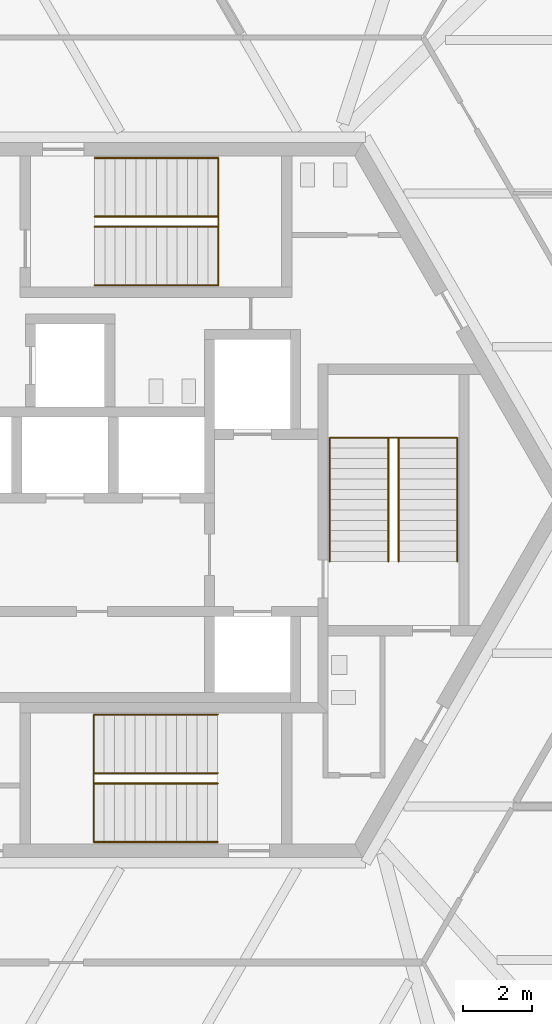
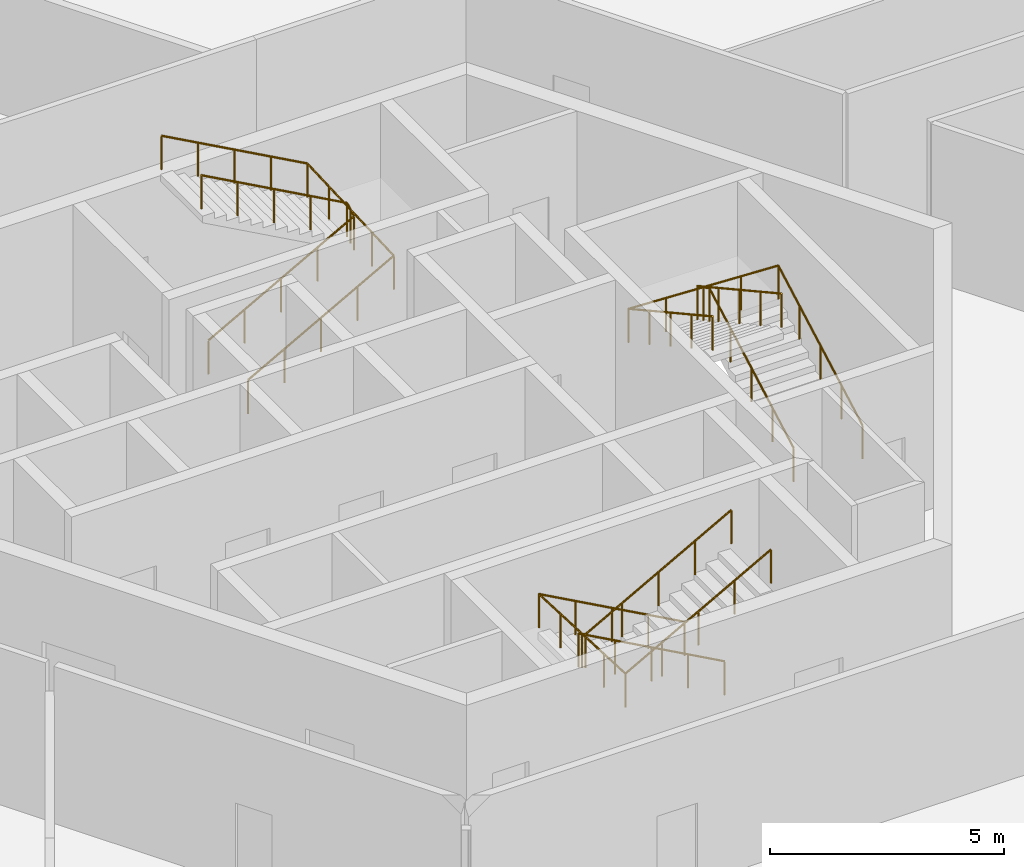
# One storey, part 16 of 17: 6 railings.
"""IFC4 building model written with IfcOpenShell, lengths in metres."""

from ifc_helpers import new_model, si_unit, direction, frame, origin, origin_2d, place, context, subcontext, project, spatial, circle, extrude, source, transform, mapped, material, type_object, element, save


model = new_model("IFC4")

# Units and contexts
model_context = context("Model", 3, precision=1e-05, world=origin(), true_north=direction((0.0, 1.0)))
body_context = subcontext(model_context, "Body", "Model", "MODEL_VIEW")
ifc_project = project(units=[si_unit("LENGTHUNIT", "METRE"), si_unit("AREAUNIT", "SQUARE_METRE"), si_unit("VOLUMEUNIT", "CUBIC_METRE"), si_unit("PLANEANGLEUNIT", "RADIAN"), si_unit("MASSUNIT", "GRAM", prefix="KILO")], contexts=[model_context])

# Site, building, storey
site_placement = place(None, origin())
site = spatial("IfcSite", under=ifc_project, at=site_placement, CompositionType="ELEMENT")
building_placement = place(site_placement, origin())
building = spatial("IfcBuilding", under=site, at=building_placement, Name="Triune Harvest Tower", CompositionType="ELEMENT")
storey_placement = place(building_placement, frame((0.0, 0.0, 46.10009765625)))
storey = spatial("IfcBuildingStorey", under=building, at=storey_placement, Name="L10", CompositionType="ELEMENT", Elevation=46.10009765625)

# Railings
ifc_material = material(Name="Stainless steel AISI 316", Category="steel")
railing_type = type_object("IfcRailingType", Name="Stair handrail", PredefinedType="HANDRAIL", material=ifc_material)
shared_shape_1 = source(origin(), body_context, "Body", "SweptSolid", [
    extrude(circle(Radius=0.02392578125, at=origin_2d()), frame((0.0, 0.0, 0.8759765625), z_axis=(0.875746539262, 0.0, 0.482771166259), x_axis=(0.0, 1.0, 0.0)), (0.0, 0.0, 1.0), 4.11083984375),
    extrude(circle(Radius=0.02392578125, at=origin_2d()), frame((3.60009765625, 0.0, 2.8603515625), z_axis=(0.0, 0.999003709343, 0.04462721948), x_axis=(-1.0, 0.0, 0.0)), (0.0, 0.0, 1.0), 3.70361328125),
    extrude(circle(Radius=0.02392578125, at=origin_2d()), frame((3.60009765625, 3.699951171875, 3.02587890625), z_axis=(-0.875746539262, 0.0, 0.482771166259), x_axis=(0.0, -1.0, 0.0)), (0.0, 0.0, 1.0), 4.11083984375),
    extrude(circle(Radius=0.02099609375, at=origin_2d()), origin(), (0.0, 0.0, 1.0), 0.851806640625),
    extrude(circle(Radius=0.02099609375, at=origin_2d()), frame((0.89990234375, 0.0, 0.49609375)), (0.0, 0.0, 1.0), 0.851806640625),
    extrude(circle(Radius=0.02099609375, at=origin_2d()), frame((1.800048828125, 0.0, 0.9921875)), (0.0, 0.0, 1.0), 0.851806640625),
    extrude(circle(Radius=0.02099609375, at=origin_2d()), frame((2.7001953125, 0.0, 1.488525390625)), (0.0, 0.0, 1.0), 0.851806640625),
    extrude(circle(Radius=0.02099609375, at=origin_2d()), frame((3.60009765625, 0.0, 1.984619140625)), (0.0, 0.0, 1.0), 0.851806640625),
    extrude(circle(Radius=0.02099609375, at=origin_2d()), frame((3.60009765625, 0.925048828125, 2.02587890625)), (0.0, 0.0, 1.0), 0.851806640625),
    extrude(circle(Radius=0.02099609375, at=origin_2d()), frame((3.60009765625, 1.85009765625, 2.0673828125)), (0.0, 0.0, 1.0), 0.851806640625),
    extrude(circle(Radius=0.02099609375, at=origin_2d()), frame((3.60009765625, 2.77490234375, 2.108642578125)), (0.0, 0.0, 1.0), 0.851806640625),
    extrude(circle(Radius=0.02099609375, at=origin_2d()), frame((3.60009765625, 3.699951171875, 2.14990234375)), (0.0, 0.0, 1.0), 0.851806640625),
    extrude(circle(Radius=0.02099609375, at=origin_2d()), frame((2.7001953125, 3.699951171875, 2.64599609375)), (0.0, 0.0, 1.0), 0.851806640625),
    extrude(circle(Radius=0.02099609375, at=origin_2d()), frame((1.800048828125, 3.699951171875, 3.14208984375)), (0.0, 0.0, 1.0), 0.851806640625),
    extrude(circle(Radius=0.02099609375, at=origin_2d()), frame((0.89990234375, 3.699951171875, 3.638427734375)), (0.0, 0.0, 1.0), 0.851806640625),
    extrude(circle(Radius=0.02099609375, at=origin_2d()), frame((0.0, 3.699951171875, 4.134521484375)), (0.0, 0.0, 1.0), 0.851806640625),
])
railing_1_placement = place(storey_placement, frame((-1.7900390625, 6.239990234375, 0.165283203125)))
element("IfcRailing", 1, at=railing_1_placement, inside=storey, type_object=railing_type, Name="Exit stair north wall handrail", PredefinedType="HANDRAIL", context=body_context, shape_type="MappedRepresentation", body=[
    mapped(shared_shape_1, transform((0.0, 0.0, 0.0), scale=1.0)),
])
shared_shape_2 = source(origin(), body_context, "Body", "SweptSolid", [
    extrude(circle(Radius=0.02392578125, at=origin_2d()), frame((0.0, 0.0, 0.8759765625), z_axis=(0.875746539262, 0.0, 0.482771166259), x_axis=(0.0, 1.0, 0.0)), (0.0, 0.0, 1.0), 4.11083984375),
    extrude(circle(Radius=0.02392578125, at=origin_2d()), frame((3.60009765625, 0.0, 2.8603515625), z_axis=(0.0, 0.875899727824, 0.48249317798), x_axis=(-1.0, 0.0, 0.0)), (0.0, 0.0, 1.0), 0.342529296875),
    extrude(circle(Radius=0.02392578125, at=origin_2d()), frame((3.60009765625, 0.300048828125, 3.02587890625), z_axis=(-0.875746539262, 0.0, 0.482771166259), x_axis=(0.0, -1.0, 0.0)), (0.0, 0.0, 1.0), 4.11083984375),
    extrude(circle(Radius=0.02099609375, at=origin_2d()), origin(), (0.0, 0.0, 1.0), 0.851806640625),
    extrude(circle(Radius=0.02099609375, at=origin_2d()), frame((0.89990234375, 0.0, 0.49609375)), (0.0, 0.0, 1.0), 0.851806640625),
    extrude(circle(Radius=0.02099609375, at=origin_2d()), frame((1.800048828125, 0.0, 0.9921875)), (0.0, 0.0, 1.0), 0.851806640625),
    extrude(circle(Radius=0.02099609375, at=origin_2d()), frame((2.7001953125, 0.0, 1.488525390625)), (0.0, 0.0, 1.0), 0.851806640625),
    extrude(circle(Radius=0.02099609375, at=origin_2d()), frame((3.60009765625, 0.0, 1.984619140625)), (0.0, 0.0, 1.0), 0.851806640625),
    extrude(circle(Radius=0.02099609375, at=origin_2d()), frame((3.60009765625, 0.300048828125, 2.14990234375)), (0.0, 0.0, 1.0), 0.851806640625),
    extrude(circle(Radius=0.02099609375, at=origin_2d()), frame((2.7001953125, 0.300048828125, 2.64599609375)), (0.0, 0.0, 1.0), 0.851806640625),
    extrude(circle(Radius=0.02099609375, at=origin_2d()), frame((1.800048828125, 0.300048828125, 3.14208984375)), (0.0, 0.0, 1.0), 0.851806640625),
    extrude(circle(Radius=0.02099609375, at=origin_2d()), frame((0.89990234375, 0.300048828125, 3.638427734375)), (0.0, 0.0, 1.0), 0.851806640625),
    extrude(circle(Radius=0.02099609375, at=origin_2d()), frame((0.0, 0.300048828125, 4.134521484375)), (0.0, 0.0, 1.0), 0.851806640625),
])
railing_2_placement = place(storey_placement, frame((-1.7900390625, 7.93994140625, 0.165283203125)))
element("IfcRailing", 2, at=railing_2_placement, inside=storey, type_object=railing_type, Name="Exit stair north centre handrail", PredefinedType="HANDRAIL", context=body_context, shape_type="MappedRepresentation", body=[
    mapped(shared_shape_2, transform((0.0, 0.0, 0.0), scale=1.0)),
])
shared_shape_3 = source(origin(), body_context, "Body", "SweptSolid", [
    extrude(circle(Radius=0.02392578125, at=origin_2d()), frame((0.0, 0.0, 0.8759765625), z_axis=(-0.875746539262, 0.0, 0.482771166259), x_axis=(0.0, -1.0, 0.0)), (0.0, 0.0, 1.0), 4.11083984375),
    extrude(circle(Radius=0.02392578125, at=origin_2d()), frame((-3.60009765625, 0.0, 2.8603515625), z_axis=(0.0, -0.999003709343, 0.04462721948), x_axis=(1.0, 0.0, 0.0)), (0.0, 0.0, 1.0), 3.70361328125),
    extrude(circle(Radius=0.02392578125, at=origin_2d()), frame((-3.60009765625, -3.699951171875, 3.02587890625), z_axis=(0.875746539262, 0.0, 0.482771166259), x_axis=(0.0, 1.0, 0.0)), (0.0, 0.0, 1.0), 4.11083984375),
    extrude(circle(Radius=0.02099609375, at=origin_2d()), origin(), (0.0, 0.0, 1.0), 0.851806640625),
    extrude(circle(Radius=0.02099609375, at=origin_2d()), frame((-0.89990234375, 0.0, 0.49609375)), (0.0, 0.0, 1.0), 0.851806640625),
    extrude(circle(Radius=0.02099609375, at=origin_2d()), frame((-1.800048828125, 0.0, 0.9921875)), (0.0, 0.0, 1.0), 0.851806640625),
    extrude(circle(Radius=0.02099609375, at=origin_2d()), frame((-2.7001953125, 0.0, 1.488525390625)), (0.0, 0.0, 1.0), 0.851806640625),
    extrude(circle(Radius=0.02099609375, at=origin_2d()), frame((-3.60009765625, 0.0, 1.984619140625)), (0.0, 0.0, 1.0), 0.851806640625),
    extrude(circle(Radius=0.02099609375, at=origin_2d()), frame((-3.60009765625, -0.925048828125, 2.02587890625)), (0.0, 0.0, 1.0), 0.851806640625),
    extrude(circle(Radius=0.02099609375, at=origin_2d()), frame((-3.60009765625, -1.85009765625, 2.0673828125)), (0.0, 0.0, 1.0), 0.851806640625),
    extrude(circle(Radius=0.02099609375, at=origin_2d()), frame((-3.60009765625, -2.77490234375, 2.108642578125)), (0.0, 0.0, 1.0), 0.851806640625),
    extrude(circle(Radius=0.02099609375, at=origin_2d()), frame((-3.60009765625, -3.699951171875, 2.14990234375)), (0.0, 0.0, 1.0), 0.851806640625),
    extrude(circle(Radius=0.02099609375, at=origin_2d()), frame((-2.7001953125, -3.699951171875, 2.64599609375)), (0.0, 0.0, 1.0), 0.851806640625),
    extrude(circle(Radius=0.02099609375, at=origin_2d()), frame((-1.800048828125, -3.699951171875, 3.14208984375)), (0.0, 0.0, 1.0), 0.851806640625),
    extrude(circle(Radius=0.02099609375, at=origin_2d()), frame((-0.89990234375, -3.699951171875, 3.638427734375)), (0.0, 0.0, 1.0), 0.851806640625),
    extrude(circle(Radius=0.02099609375, at=origin_2d()), frame((0.0, -3.699951171875, 4.134521484375)), (0.0, 0.0, 1.0), 0.851806640625),
])
railing_3_placement = place(storey_placement, frame((1.7900390625, -6.239990234375, 0.165283203125)))
element("IfcRailing", 3, at=railing_3_placement, inside=storey, type_object=railing_type, Name="Exit stair south wall handrail", PredefinedType="HANDRAIL", context=body_context, shape_type="MappedRepresentation", body=[
    mapped(shared_shape_3, transform((0.0, 0.0, 0.0), scale=1.0)),
])
shared_shape_4 = source(origin(), body_context, "Body", "SweptSolid", [
    extrude(circle(Radius=0.02392578125, at=origin_2d()), frame((0.0, 0.0, 0.8759765625), z_axis=(-0.875746539262, 0.0, 0.482771166259), x_axis=(0.0, -1.0, 0.0)), (0.0, 0.0, 1.0), 4.11083984375),
    extrude(circle(Radius=0.02392578125, at=origin_2d()), frame((-3.60009765625, 0.0, 2.8603515625), z_axis=(0.0, -0.875899727824, 0.48249317798), x_axis=(1.0, 0.0, 0.0)), (0.0, 0.0, 1.0), 0.342529296875),
    extrude(circle(Radius=0.02392578125, at=origin_2d()), frame((-3.60009765625, -0.300048828125, 3.02587890625), z_axis=(0.875746539262, 0.0, 0.482771166259), x_axis=(0.0, 1.0, 0.0)), (0.0, 0.0, 1.0), 4.11083984375),
    extrude(circle(Radius=0.02099609375, at=origin_2d()), origin(), (0.0, 0.0, 1.0), 0.851806640625),
    extrude(circle(Radius=0.02099609375, at=origin_2d()), frame((-0.89990234375, 0.0, 0.49609375)), (0.0, 0.0, 1.0), 0.851806640625),
    extrude(circle(Radius=0.02099609375, at=origin_2d()), frame((-1.800048828125, 0.0, 0.9921875)), (0.0, 0.0, 1.0), 0.851806640625),
    extrude(circle(Radius=0.02099609375, at=origin_2d()), frame((-2.7001953125, 0.0, 1.488525390625)), (0.0, 0.0, 1.0), 0.851806640625),
    extrude(circle(Radius=0.02099609375, at=origin_2d()), frame((-3.60009765625, 0.0, 1.984619140625)), (0.0, 0.0, 1.0), 0.851806640625),
    extrude(circle(Radius=0.02099609375, at=origin_2d()), frame((-3.60009765625, -0.300048828125, 2.14990234375)), (0.0, 0.0, 1.0), 0.851806640625),
    extrude(circle(Radius=0.02099609375, at=origin_2d()), frame((-2.7001953125, -0.300048828125, 2.64599609375)), (0.0, 0.0, 1.0), 0.851806640625),
    extrude(circle(Radius=0.02099609375, at=origin_2d()), frame((-1.800048828125, -0.300048828125, 3.14208984375)), (0.0, 0.0, 1.0), 0.851806640625),
    extrude(circle(Radius=0.02099609375, at=origin_2d()), frame((-0.89990234375, -0.300048828125, 3.638427734375)), (0.0, 0.0, 1.0), 0.851806640625),
    extrude(circle(Radius=0.02099609375, at=origin_2d()), frame((0.0, -0.300048828125, 4.134521484375)), (0.0, 0.0, 1.0), 0.851806640625),
])
railing_4_placement = place(storey_placement, frame((1.7900390625, -7.93994140625, 0.165283203125)))
element("IfcRailing", 4, at=railing_4_placement, inside=storey, type_object=railing_type, Name="Exit stair south centre handrail", PredefinedType="HANDRAIL", context=body_context, shape_type="MappedRepresentation", body=[
    mapped(shared_shape_4, transform((0.0, 0.0, 0.0), scale=1.0)),
])
shared_shape_5 = source(origin(), body_context, "Body", "SweptSolid", [
    extrude(circle(Radius=0.02392578125, at=origin_2d()), frame((0.0, 0.0, 0.8759765625), z_axis=(0.0, 0.875746539262, 0.482771166259), x_axis=(-1.0, 0.0, 0.0)), (0.0, 0.0, 1.0), 4.11083984375),
    extrude(circle(Radius=0.02392578125, at=origin_2d()), frame((0.0, 3.60009765625, 2.8603515625), z_axis=(-0.999003709343, 0.0, 0.04462721948), x_axis=(0.0, -1.0, 0.0)), (0.0, 0.0, 1.0), 3.70361328125),
    extrude(circle(Radius=0.02392578125, at=origin_2d()), frame((-3.699951171875, 3.60009765625, 3.02587890625), z_axis=(0.0, -0.875746539262, 0.482771166259), x_axis=(1.0, 0.0, 0.0)), (0.0, 0.0, 1.0), 4.11083984375),
    extrude(circle(Radius=0.02099609375, at=origin_2d()), origin(), (0.0, 0.0, 1.0), 0.851806640625),
    extrude(circle(Radius=0.02099609375, at=origin_2d()), frame((0.0, 0.89990234375, 0.49609375)), (0.0, 0.0, 1.0), 0.851806640625),
    extrude(circle(Radius=0.02099609375, at=origin_2d()), frame((0.0, 1.800048828125, 0.9921875)), (0.0, 0.0, 1.0), 0.851806640625),
    extrude(circle(Radius=0.02099609375, at=origin_2d()), frame((0.0, 2.7001953125, 1.488525390625)), (0.0, 0.0, 1.0), 0.851806640625),
    extrude(circle(Radius=0.02099609375, at=origin_2d()), frame((0.0, 3.60009765625, 1.984619140625)), (0.0, 0.0, 1.0), 0.851806640625),
    extrude(circle(Radius=0.02099609375, at=origin_2d()), frame((-0.925048828125, 3.60009765625, 2.02587890625)), (0.0, 0.0, 1.0), 0.851806640625),
    extrude(circle(Radius=0.02099609375, at=origin_2d()), frame((-1.85009765625, 3.60009765625, 2.0673828125)), (0.0, 0.0, 1.0), 0.851806640625),
    extrude(circle(Radius=0.02099609375, at=origin_2d()), frame((-2.77490234375, 3.60009765625, 2.108642578125)), (0.0, 0.0, 1.0), 0.851806640625),
    extrude(circle(Radius=0.02099609375, at=origin_2d()), frame((-3.699951171875, 3.60009765625, 2.14990234375)), (0.0, 0.0, 1.0), 0.851806640625),
    extrude(circle(Radius=0.02099609375, at=origin_2d()), frame((-3.699951171875, 2.7001953125, 2.64599609375)), (0.0, 0.0, 1.0), 0.851806640625),
    extrude(circle(Radius=0.02099609375, at=origin_2d()), frame((-3.699951171875, 1.800048828125, 3.14208984375)), (0.0, 0.0, 1.0), 0.851806640625),
    extrude(circle(Radius=0.02099609375, at=origin_2d()), frame((-3.699951171875, 0.89990234375, 3.638427734375)), (0.0, 0.0, 1.0), 0.851806640625),
    extrude(circle(Radius=0.02099609375, at=origin_2d()), frame((-3.699951171875, 0.0, 4.134521484375)), (0.0, 0.0, 1.0), 0.851806640625),
])
railing_5_placement = place(storey_placement, frame((8.75, -1.7900390625, 0.165283203125)))
element("IfcRailing", 5, at=railing_5_placement, inside=storey, type_object=railing_type, Name="Exit stair east wall handrail", PredefinedType="HANDRAIL", context=body_context, shape_type="MappedRepresentation", body=[
    mapped(shared_shape_5, transform((0.0, 0.0, 0.0), scale=1.0)),
])
shared_shape_6 = source(origin(), body_context, "Body", "SweptSolid", [
    extrude(circle(Radius=0.02392578125, at=origin_2d()), frame((0.0, 0.0, 0.8759765625), z_axis=(0.0, 0.875746539262, 0.482771166259), x_axis=(-1.0, 0.0, 0.0)), (0.0, 0.0, 1.0), 4.11083984375),
    extrude(circle(Radius=0.02392578125, at=origin_2d()), frame((0.0, 3.60009765625, 2.8603515625), z_axis=(-0.875899727824, 0.0, 0.48249317798), x_axis=(0.0, -1.0, 0.0)), (0.0, 0.0, 1.0), 0.342529296875),
    extrude(circle(Radius=0.02392578125, at=origin_2d()), frame((-0.300048828125, 3.60009765625, 3.02587890625), z_axis=(0.0, -0.875746539262, 0.482771166259), x_axis=(1.0, 0.0, 0.0)), (0.0, 0.0, 1.0), 4.11083984375),
    extrude(circle(Radius=0.02099609375, at=origin_2d()), origin(), (0.0, 0.0, 1.0), 0.851806640625),
    extrude(circle(Radius=0.02099609375, at=origin_2d()), frame((0.0, 0.89990234375, 0.49609375)), (0.0, 0.0, 1.0), 0.851806640625),
    extrude(circle(Radius=0.02099609375, at=origin_2d()), frame((0.0, 1.800048828125, 0.9921875)), (0.0, 0.0, 1.0), 0.851806640625),
    extrude(circle(Radius=0.02099609375, at=origin_2d()), frame((0.0, 2.7001953125, 1.488525390625)), (0.0, 0.0, 1.0), 0.851806640625),
    extrude(circle(Radius=0.02099609375, at=origin_2d()), frame((0.0, 3.60009765625, 1.984619140625)), (0.0, 0.0, 1.0), 0.851806640625),
    extrude(circle(Radius=0.02099609375, at=origin_2d()), frame((-0.300048828125, 3.60009765625, 2.14990234375)), (0.0, 0.0, 1.0), 0.851806640625),
    extrude(circle(Radius=0.02099609375, at=origin_2d()), frame((-0.300048828125, 2.7001953125, 2.64599609375)), (0.0, 0.0, 1.0), 0.851806640625),
    extrude(circle(Radius=0.02099609375, at=origin_2d()), frame((-0.300048828125, 1.800048828125, 3.14208984375)), (0.0, 0.0, 1.0), 0.851806640625),
    extrude(circle(Radius=0.02099609375, at=origin_2d()), frame((-0.300048828125, 0.89990234375, 3.638427734375)), (0.0, 0.0, 1.0), 0.851806640625),
    extrude(circle(Radius=0.02099609375, at=origin_2d()), frame((-0.300048828125, 0.0, 4.134521484375)), (0.0, 0.0, 1.0), 0.851806640625),
])
railing_6_placement = place(storey_placement, frame((7.050048828125, -1.7900390625, 0.165283203125)))
element("IfcRailing", 6, at=railing_6_placement, inside=storey, type_object=railing_type, Name="Exit stair east centre handrail", PredefinedType="HANDRAIL", context=body_context, shape_type="MappedRepresentation", body=[
    mapped(shared_shape_6, transform((0.0, 0.0, 0.0), scale=1.0)),
])

save(model, "model.ifc")
